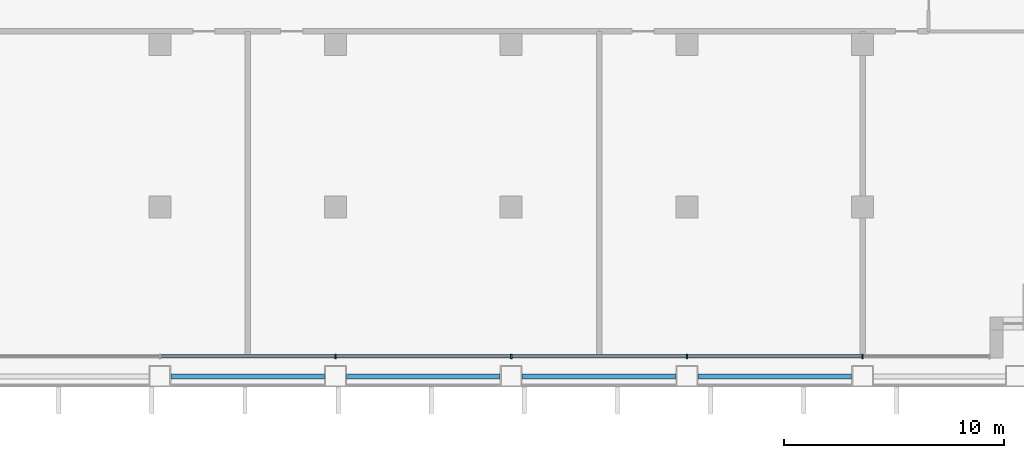
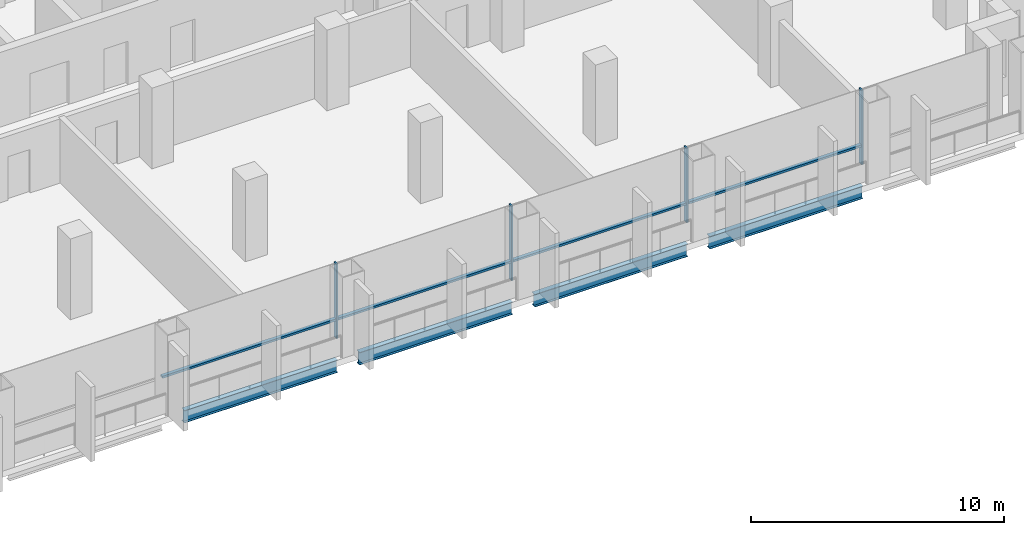
# One storey, part 3 of 13: 8 members, 4 beams, 1 element without a shape of its own.
"""IFC4 building model written with IfcOpenShell, lengths in metres."""

from ifc_helpers import new_model, si_unit, direction, frame, origin, origin_2d, place, context, subcontext, project, spatial, rectangle, i_section, extrude, material, material_profile, profile_set, type_object, element, aggregate, save


model = new_model("IFC4")

# Units and contexts
model_context = context("Model", 3, precision=1e-05, world=origin(), true_north=direction((0.0, 1.0)))
body_context = subcontext(model_context, "Body", "Model", "MODEL_VIEW")
ifc_project = project(units=[si_unit("LENGTHUNIT", "METRE"), si_unit("AREAUNIT", "SQUARE_METRE"), si_unit("VOLUMEUNIT", "CUBIC_METRE"), si_unit("PLANEANGLEUNIT", "RADIAN"), si_unit("MASSUNIT", "GRAM", prefix="KILO")], contexts=[model_context])

# Site, building, storey
site_placement = place(None, origin())
site = spatial("IfcSite", under=ifc_project, at=site_placement, CompositionType="ELEMENT")
building_placement = place(site_placement, origin())
building = spatial("IfcBuilding", under=site, at=building_placement, Name="Vidyagriha Tower", CompositionType="ELEMENT")
storey_placement = place(building_placement, frame((0.0, 0.0, 33.800048828125)))
storey = spatial("IfcBuildingStorey", under=building, at=storey_placement, Name="L08", CompositionType="ELEMENT", Elevation=33.800048828125)

# Beams
ifc_material_1 = material(Name="Steel ASTM A992 Grade 50", Category="steel")
ifc_material_profile_1 = material_profile(ifc_material_1, i_section(OverallWidth=0.228271484375, OverallDepth=0.607177734375, WebThickness=0.01123046875, FlangeThickness=0.017333984375, at=origin_2d()), Name="W24X76")
ifc_profile_set_1 = profile_set([ifc_material_profile_1], Name="Steel ASTM A992 Grade 50")
beam_type = type_object("IfcBeamType", Name="Edge beam W24X76", PredefinedType="SPANDREL", material=ifc_profile_set_1)
for number, where, z_axis, x_axis, name in (
    (1, (-5.5, -17.10009765625, -0.603515625), (1.0, 0.0, 0.0), (0.0, 1.0, 0.0), "st-beam-L08-S05"),
    (2, (2.5, -17.10009765625, -0.603515625), (1.0, 0.0, 0.0), (0.0, 1.0, 0.0), "st-beam-L08-S06"),
    (3, (10.5, -17.10009765625, -0.603515625), (1.0, 0.0, 0.0), (0.0, 1.0, 0.0), "st-beam-L08-S07"),
    (4, (18.5, -17.10009765625, -0.603515625), (1.0, 0.0, 0.0), (0.0, 1.0, 0.0), "st-beam-L08-S08"),
):
    element("IfcBeam", number, at=place(storey_placement, frame(where, z_axis=z_axis, x_axis=x_axis)), inside=storey, type_object=beam_type, Name=name, PredefinedType="SPANDREL", context=body_context, shape_type="SweptSolid", body=[
        extrude(i_section(OverallWidth=0.228271484375, OverallDepth=0.607177734375, WebThickness=0.01123046875, FlangeThickness=0.017333984375, at=origin_2d()), origin(), (0.0, 0.0, 1.0), 7.0),
    ])

# Curtain wall, members
ifc_material_2 = material(Name="Aluminium and glass curtain wall", Category="aluminium")
curtain_wall_type = type_object("IfcCurtainWallType", Name="Classroom skin unitised curtain wall", PredefinedType="USERDEFINED", material=ifc_material_2)
curtain_wall_placement = place(storey_placement, origin())
curtain_wall = element("IfcCurtainWall", 5, at=curtain_wall_placement, inside=storey, type_object=curtain_wall_type, Name="CW2 classroom skin", ObjectType="UNITISED", PredefinedType="USERDEFINED")
ifc_material_3 = material(Name="Aluminium black anodised", Category="aluminium")
ifc_material_profile_2 = material_profile(ifc_material_3, rectangle(XDim=0.219970703125, YDim=0.070068359375, at=origin_2d()), Name="Mullion 70x220 black aluminium")
ifc_profile_set_2 = profile_set([ifc_material_profile_2], Name="Aluminium black anodised")
member_type_1 = type_object("IfcMemberType", Name="Mullion 70x220 black aluminium", PredefinedType="MULLION", material=ifc_profile_set_2)
member_1_placement = place(storey_placement, frame((2.0, -16.199951171875, 0.0), z_axis=(0.0, 0.0, 1.0), x_axis=(0.0, 1.0, 0.0)))
member_1 = element("IfcMember", 6, at=member_1_placement, type_object=member_type_1, Name="CW2 mullion 6", PredefinedType="MULLION", context=body_context, shape_type="SweptSolid", body=[
    extrude(rectangle(XDim=0.219970703125, YDim=0.070068359375, at=origin_2d()), origin(), (0.0, 0.0, 1.0), 3.599853515625),
])
member_2_placement = place(storey_placement, frame((10.0, -16.199951171875, 0.0), z_axis=(0.0, 0.0, 1.0), x_axis=(0.0, 1.0, 0.0)))
member_2 = element("IfcMember", 7, at=member_2_placement, type_object=member_type_1, Name="CW2 mullion 7", PredefinedType="MULLION", context=body_context, shape_type="SweptSolid", body=[
    extrude(rectangle(XDim=0.219970703125, YDim=0.070068359375, at=origin_2d()), origin(), (0.0, 0.0, 1.0), 3.599853515625),
])
member_3_placement = place(storey_placement, frame((18.0, -16.199951171875, 0.0), z_axis=(0.0, 0.0, 1.0), x_axis=(0.0, 1.0, 0.0)))
member_3 = element("IfcMember", 8, at=member_3_placement, type_object=member_type_1, Name="CW2 mullion 8", PredefinedType="MULLION", context=body_context, shape_type="SweptSolid", body=[
    extrude(rectangle(XDim=0.219970703125, YDim=0.070068359375, at=origin_2d()), origin(), (0.0, 0.0, 1.0), 3.599853515625),
])
member_4_placement = place(storey_placement, frame((26.0, -16.199951171875, 0.0), z_axis=(0.0, 0.0, 1.0), x_axis=(0.0, 1.0, 0.0)))
member_4 = element("IfcMember", 9, at=member_4_placement, type_object=member_type_1, Name="CW2 mullion 9", PredefinedType="MULLION", context=body_context, shape_type="SweptSolid", body=[
    extrude(rectangle(XDim=0.219970703125, YDim=0.070068359375, at=origin_2d()), origin(), (0.0, 0.0, 1.0), 3.599853515625),
])
ifc_material_4 = material(Name="Aluminium black anodised", Category="aluminium")
ifc_material_profile_3 = material_profile(ifc_material_4, rectangle(XDim=0.159912109375, YDim=0.10009765625, at=origin_2d()), Name="Transom 100x160 black aluminium")
ifc_profile_set_3 = profile_set([ifc_material_profile_3], Name="Aluminium black anodised")
member_type_2 = type_object("IfcMemberType", Name="Transom 100x160 black aluminium", PredefinedType="USERDEFINED", material=ifc_profile_set_3)
member_5_placement = place(storey_placement, frame((-5.965087890625, -16.199951171875, 0.89990234375), z_axis=(1.0, 0.0, 0.0), x_axis=(0.0, 1.0, 0.0)))
member_5 = element("IfcMember", 10, at=member_5_placement, type_object=member_type_2, Name="CW2 transom 5.1", ObjectType="TRANSOM", PredefinedType="USERDEFINED", context=body_context, shape_type="SweptSolid", body=[
    extrude(rectangle(XDim=0.159912109375, YDim=0.10009765625, at=origin_2d()), origin(), (0.0, 0.0, 1.0), 7.93017578125),
])
member_6_placement = place(storey_placement, frame((2.034912109375, -16.199951171875, 0.89990234375), z_axis=(1.0, 0.0, 0.0), x_axis=(0.0, 1.0, 0.0)))
member_6 = element("IfcMember", 11, at=member_6_placement, type_object=member_type_2, Name="CW2 transom 6.1", ObjectType="TRANSOM", PredefinedType="USERDEFINED", context=body_context, shape_type="SweptSolid", body=[
    extrude(rectangle(XDim=0.159912109375, YDim=0.10009765625, at=origin_2d()), origin(), (0.0, 0.0, 1.0), 7.93017578125),
])
member_7_placement = place(storey_placement, frame((10.034912109375, -16.199951171875, 0.89990234375), z_axis=(1.0, 0.0, 0.0), x_axis=(0.0, 1.0, 0.0)))
member_7 = element("IfcMember", 12, at=member_7_placement, type_object=member_type_2, Name="CW2 transom 7.1", ObjectType="TRANSOM", PredefinedType="USERDEFINED", context=body_context, shape_type="SweptSolid", body=[
    extrude(rectangle(XDim=0.159912109375, YDim=0.10009765625, at=origin_2d()), origin(), (0.0, 0.0, 1.0), 7.93017578125),
])
member_8_placement = place(storey_placement, frame((18.034912109375, -16.199951171875, 0.89990234375), z_axis=(1.0, 0.0, 0.0), x_axis=(0.0, 1.0, 0.0)))
member_8 = element("IfcMember", 13, at=member_8_placement, type_object=member_type_2, Name="CW2 transom 8.1", ObjectType="TRANSOM", PredefinedType="USERDEFINED", context=body_context, shape_type="SweptSolid", body=[
    extrude(rectangle(XDim=0.159912109375, YDim=0.10009765625, at=origin_2d()), origin(), (0.0, 0.0, 1.0), 7.93017578125),
])
aggregate(curtain_wall, [member_1, member_2, member_3, member_4, member_5, member_6, member_7, member_8])

save(model, "model.ifc")
